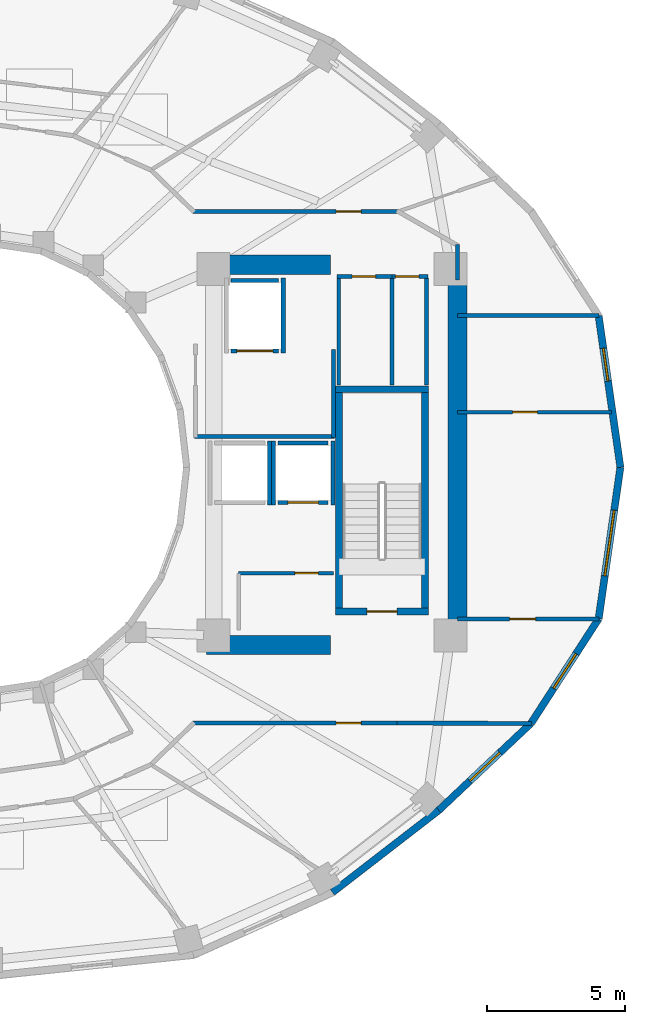
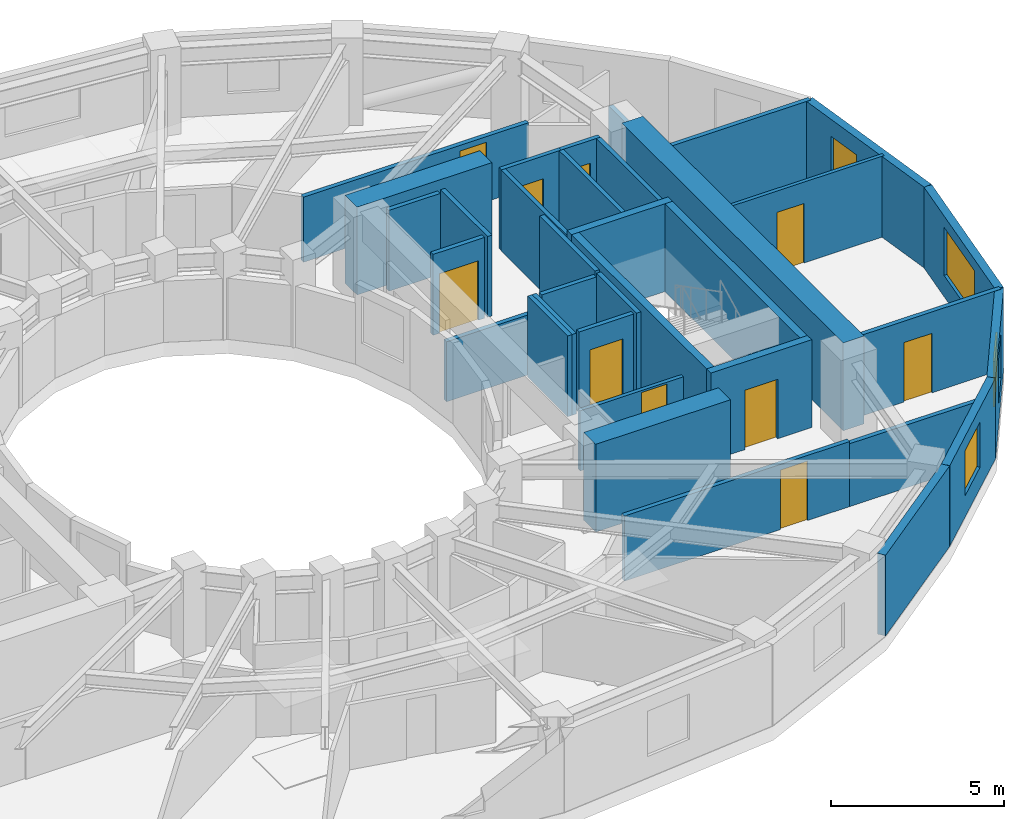
# One storey, part 6 of 9: 35 walls, 10 doors, 4 windows, 14 openings.
"""IFC4 building model written with IfcOpenShell, lengths in metres."""

from ifc_helpers import new_model, si_unit, direction, frame, frame_2d, origin, place, context, subcontext, project, spatial, rectangle, extrude, material, layer, layer_set, type_object, element, fill, save


model = new_model("IFC4")

# Units and contexts
model_context = context("Model", 3, precision=1e-05, world=origin(), true_north=direction((0.0, 1.0)))
body_context = subcontext(model_context, "Body", "Model", "MODEL_VIEW")
ifc_project = project(units=[si_unit("LENGTHUNIT", "METRE"), si_unit("AREAUNIT", "SQUARE_METRE"), si_unit("VOLUMEUNIT", "CUBIC_METRE"), si_unit("PLANEANGLEUNIT", "RADIAN"), si_unit("MASSUNIT", "GRAM", prefix="KILO")], contexts=[model_context])

# Site, building, storey
site_placement = place(None, origin())
site = spatial("IfcSite", under=ifc_project, at=site_placement, CompositionType="ELEMENT")
building_placement = place(site_placement, origin())
building = spatial("IfcBuilding", under=site, at=building_placement, Name="Solvane Sanctuary Tower", CompositionType="ELEMENT")
storey_placement = place(building_placement, frame((0.0, 0.0, 143.60009765625)))
storey = spatial("IfcBuildingStorey", under=building, at=storey_placement, Name="L43", CompositionType="ELEMENT", Elevation=143.60009765625)

# Walls
ifc_material_1 = material(Name="Concrete C60/75", Category="concrete")
ifc_layer_1 = layer(ifc_material_1, 0.699951171875, Name="Concrete C60/75")
ifc_layer_set_1 = layer_set([ifc_layer_1], Name="Concrete C60/75")
wall_type_1 = type_object("IfcWallType", Name="Wall W-CORE-700", PredefinedType="SHEAR", material=ifc_layer_set_1)
wall_1_placement = place(storey_placement, frame((48.949951171875, 17.050048828125, 0.0), z_axis=(0.0, 0.0, 1.0), x_axis=(0.0, 1.0, 0.0)))
element("IfcWall", 1, at=wall_1_placement, inside=storey, type_object=wall_type_1, Name="L43 Core Shear Wall EC-E", PredefinedType="SHEAR", context=body_context, shape_type="SweptSolid", body=[
    extrude(rectangle(XDim=12.800048828125, YDim=0.699951171875, at=frame_2d((6.39990234375, 0.0))), origin(), (0.0, 0.0, 1.0), 3.099853515625),
])
for number, where, z_axis, x_axis, name in (
    (2, (39.85009765625, 16.550048828125, 0.0), (0.0, 0.0, 1.0), (1.0, 0.0, 0.0), "L43 Core Shear Wall EC-S"),
    (3, (39.85009765625, 30.35009765625, 0.0), (0.0, 0.0, 1.0), (1.0, 0.0, 0.0), "L43 Core Shear Wall EC-N"),
):
    element("IfcWall", number, at=place(storey_placement, frame(where, z_axis=z_axis, x_axis=x_axis)), inside=storey, type_object=wall_type_1, Name=name, PredefinedType="SHEAR", context=body_context, shape_type="SweptSolid", body=[
        extrude(rectangle(XDim=4.5, YDim=0.699951171875, at=frame_2d((2.25, 0.0))), origin(), (0.0, 0.0, 1.0), 3.099853515625),
    ])
ifc_material_2 = material(Name="Acoustic Gypsum Partition Board")
ifc_layer_2 = layer(ifc_material_2, 0.14990234375, Name="Acoustic Gypsum Partition Board")
ifc_layer_set_2 = layer_set([ifc_layer_2], Name="Acoustic Gypsum Partition Board")
wall_type_2 = type_object("IfcWallType", Name="Wall W-CORR-150", PredefinedType="PARTITIONING", material=ifc_layer_set_2)
wall_2_placement = place(storey_placement, frame((39.39990234375, 24.1201171875, 0.0), z_axis=(0.0, 0.0, 1.0), x_axis=(1.0, 0.0, 0.0)))
element("IfcWall", 4, at=wall_2_placement, inside=storey, type_object=wall_type_2, Name="L43 East Firefighting Lobby South Wall", PredefinedType="PARTITIONING", context=body_context, shape_type="SweptSolid", body=[
    extrude(rectangle(XDim=5.080078125, YDim=0.14990234375, at=frame_2d((2.5400390625, 0.0))), origin(), (0.0, 0.0, 1.0), 2.119873046875),
])
wall_3_placement = place(storey_placement, frame((44.449951171875, 24.080078125, 0.0), z_axis=(0.0, 0.0, 1.0), x_axis=(0.0, 1.0, 0.0)))
element("IfcWall", 5, at=wall_3_placement, inside=storey, type_object=wall_type_2, Name="L43 East Firefighting Lobby East Wall", PredefinedType="PARTITIONING", context=body_context, shape_type="SweptSolid", body=[
    extrude(rectangle(XDim=3.199951171875, YDim=0.14990234375, at=frame_2d((1.60009765625, 0.0))), origin(), (0.0, 0.0, 1.0), 2.85498046875),
])

# Wall, opening, door
wall_4_placement = place(storey_placement, frame((48.949951171875, 17.4970703125, 0.0), z_axis=(0.0, 0.0, 1.0), x_axis=(1.0, 0.0, 0.0)))
wall_4 = element("IfcWall", 6, at=wall_4_placement, inside=storey, type_object=wall_type_2, Name="L43 East Shoulder South Wall", PredefinedType="PARTITIONING", context=body_context, shape_type="SweptSolid", body=[
    extrude(rectangle(XDim=5.14013671875, YDim=0.14990234375, at=frame_2d((2.570068359375, 0.0))), origin(), (0.0, 0.0, 1.0), 2.85498046875),
])
opening_1_placement = place(wall_4_placement, frame((1.888671875, 0.0, 0.0)))
opening_1 = element("IfcOpeningElement", 7, at=opening_1_placement, cuts=wall_4, Name="Opening D-L43-12", PredefinedType="OPENING", context=body_context, shape_type="SweptSolid", body=[
    extrude(rectangle(XDim=0.949951171875, YDim=2.10009765625, at=frame_2d((0.47509765625, 1.050048828125))), frame((0.0, 0.0849609375, 0.0), z_axis=(0.0, -1.0, 0.0), x_axis=(1.0, 0.0, 0.0)), (0.0, 0.0, 1.0), 0.169921875),
])
ifc_material_3 = material(Name="Engineered Tropical Hardwood", Category="wood")
door_type_1 = type_object("IfcDoorType", Name="Door D-ROOM-950", OperationType="NOTDEFINED", PredefinedType="DOOR", material=ifc_material_3)
door_1_placement = place(opening_1_placement, origin())
door_1 = element("IfcDoor", 8, at=door_1_placement, inside=storey, type_object=door_type_1, Name="L43 East Shoulder South Door", OperationType="SINGLE_SWING_LEFT", OverallHeight=2.10009765625, OverallWidth=0.949951171875, PredefinedType="DOOR", context=body_context, shape_type="SweptSolid", body=[
    extrude(rectangle(XDim=0.949951171875, YDim=2.10009765625, at=frame_2d((0.47509765625, 1.050048828125))), frame((0.0, 0.02490234375, 0.0), z_axis=(0.0, -1.0, 0.0), x_axis=(1.0, 0.0, 0.0)), (0.0, 0.0, 1.0), 0.050048828125),
])
fill(opening_1, door_1)

# Walls
wall_5_placement = place(storey_placement, frame((48.949951171875, 28.5029296875, 0.0), z_axis=(0.0, 0.0, 1.0), x_axis=(1.0, 0.0, 0.0)))
element("IfcWall", 9, at=wall_5_placement, inside=storey, type_object=wall_type_2, Name="L43 East Shoulder North Wall", PredefinedType="PARTITIONING", context=body_context, shape_type="SweptSolid", body=[
    extrude(rectangle(XDim=5.14013671875, YDim=0.14990234375, at=frame_2d((2.570068359375, 0.0))), origin(), (0.0, 0.0, 1.0), 2.85498046875),
])
wall_6_placement = place(storey_placement, frame((48.949951171875, 29.800048828125, 0.0), z_axis=(0.0, 0.0, 1.0), x_axis=(0.0, 1.0, 0.0)))
element("IfcWall", 10, at=wall_6_placement, inside=storey, type_object=wall_type_2, Name="L43 NE Corner Closer 1", PredefinedType="PARTITIONING", context=body_context, shape_type="SweptSolid", body=[
    extrude(rectangle(XDim=1.2900390625, YDim=0.14990234375, at=frame_2d((0.64501953125, 0.0))), origin(), (0.0, 0.0, 1.0), 2.85498046875),
])

# Wall, opening, door
wall_7_placement = place(storey_placement, frame((39.330078125, 32.280029296875, 0.0), z_axis=(0.0, 0.0, 1.0), x_axis=(1.0, 0.0, 0.0)))
wall_7 = element("IfcWall", 11, at=wall_7_placement, inside=storey, type_object=wall_type_2, Name="L43 NE Corner Corridor Wall", PredefinedType="PARTITIONING", context=body_context, shape_type="SweptSolid", body=[
    extrude(rectangle(XDim=7.52001953125, YDim=0.14990234375, at=frame_2d((3.760009765625, 0.0))), origin(), (0.0, 0.0, 1.0), 2.298828125),
])
opening_2_placement = place(wall_7_placement, frame((5.219970703125, 0.0, 0.0)))
opening_2 = element("IfcOpeningElement", 12, at=opening_2_placement, cuts=wall_7, Name="Opening D-L43-15", PredefinedType="OPENING", context=body_context, shape_type="SweptSolid", body=[
    extrude(rectangle(XDim=0.89990234375, YDim=2.10009765625, at=frame_2d((0.449951171875, 1.050048828125))), frame((0.0, 0.0849609375, 0.0), z_axis=(0.0, -1.0, 0.0), x_axis=(1.0, 0.0, 0.0)), (0.0, 0.0, 1.0), 0.169921875),
])
door_type_2 = type_object("IfcDoorType", Name="Door D-WET-900", OperationType="NOTDEFINED", PredefinedType="DOOR", material=ifc_material_3)
door_2_placement = place(opening_2_placement, origin())
door_2 = element("IfcDoor", 13, at=door_2_placement, inside=storey, type_object=door_type_2, Name="L43 NE Corner Salon Door", OperationType="SINGLE_SWING_RIGHT", OverallHeight=2.10009765625, OverallWidth=0.89990234375, PredefinedType="DOOR", context=body_context, shape_type="SweptSolid", body=[
    extrude(rectangle(XDim=0.89990234375, YDim=2.10009765625, at=frame_2d((0.449951171875, 1.050048828125))), frame((0.0, 0.02490234375, 0.0), z_axis=(0.0, -1.0, 0.0), x_axis=(1.0, 0.0, 0.0)), (0.0, 0.0, 1.0), 0.050048828125),
])
fill(opening_2, door_2)

wall_8_placement = place(storey_placement, frame((39.330078125, 13.719970703125, 0.0), z_axis=(0.0, 0.0, 1.0), x_axis=(1.0, 0.0, 0.0)))
wall_8 = element("IfcWall", 14, at=wall_8_placement, inside=storey, type_object=wall_type_2, Name="L43 SE Corner Corridor Wall", PredefinedType="PARTITIONING", context=body_context, shape_type="SweptSolid", body=[
    extrude(rectangle(XDim=7.52001953125, YDim=0.14990234375, at=frame_2d((3.760009765625, 0.0))), origin(), (0.0, 0.0, 1.0), 2.298828125),
])
opening_3_placement = place(wall_8_placement, frame((5.219970703125, 0.0, 0.0)))
opening_3 = element("IfcOpeningElement", 15, at=opening_3_placement, cuts=wall_8, Name="Opening D-L43-21", PredefinedType="OPENING", context=body_context, shape_type="SweptSolid", body=[
    extrude(rectangle(XDim=0.89990234375, YDim=2.10009765625, at=frame_2d((0.449951171875, 1.050048828125))), frame((0.0, 0.0849609375, 0.0), z_axis=(0.0, -1.0, 0.0), x_axis=(1.0, 0.0, 0.0)), (0.0, 0.0, 1.0), 0.169921875),
])
door_3_placement = place(opening_3_placement, origin())
door_3 = element("IfcDoor", 16, at=door_3_placement, inside=storey, type_object=door_type_2, Name="L43 SE Corner Salon Door", OperationType="SINGLE_SWING_RIGHT", OverallHeight=2.10009765625, OverallWidth=0.89990234375, PredefinedType="DOOR", context=body_context, shape_type="SweptSolid", body=[
    extrude(rectangle(XDim=0.89990234375, YDim=2.10009765625, at=frame_2d((0.449951171875, 1.050048828125))), frame((0.0, 0.02490234375, 0.0), z_axis=(0.0, -1.0, 0.0), x_axis=(1.0, 0.0, 0.0)), (0.0, 0.0, 1.0), 0.050048828125),
])
fill(opening_3, door_3)

# Wall
wall_9_placement = place(storey_placement, frame((46.75, 13.72021484375, 0.0), z_axis=(0.0, 0.0, 1.0), x_axis=(0.999997122315, -0.00239903348, 0.0)))
element("IfcWall", 17, at=wall_9_placement, inside=storey, type_object=wall_type_2, Name="L43 SE Corner Wing Wall", PredefinedType="PARTITIONING", context=body_context, shape_type="SweptSolid", body=[
    extrude(rectangle(XDim=4.884765625, YDim=0.14990234375, at=frame_2d((2.4423828125, 0.0))), origin(), (0.0, 0.0, 1.0), 2.219970703125),
])

# Wall, opening, window
ifc_material_4 = material(Name="Precast concrete C40/50", Category="concrete")
ifc_layer_3 = layer(ifc_material_4, 0.260009765625, Name="Precast concrete C40/50")
ifc_layer_set_3 = layer_set([ifc_layer_3], Name="Precast concrete C40/50")
wall_type_3 = type_object("IfcWallType", Name="Wall W-EXT-250", PredefinedType="STANDARD", material=ifc_layer_set_3)
wall_10_placement = place(storey_placement, frame((54.860107421875, 23.0, 0.0), z_axis=(0.0, 0.0, 1.0), x_axis=(-0.142227632286, 0.989833976288, 0.0)))
wall_10 = element("IfcWall", 18, at=wall_10_placement, inside=storey, type_object=wall_type_3, Name="L43 Ceramic-Printed Facade Wall 00", PredefinedType="STANDARD", context=body_context, shape_type="SweptSolid", body=[
    extrude(rectangle(XDim=5.552978515625, YDim=0.260009765625, at=frame_2d((2.7763671875, 0.0))), origin(), (0.0, 0.0, 1.0), 2.849853515625),
])
opening_4_placement = place(wall_10_placement, frame((3.16162109375, 0.0, 0.75)))
opening_4 = element("IfcOpeningElement", 19, at=opening_4_placement, cuts=wall_10, Name="Opening WN-OPER-1200", PredefinedType="OPENING", context=body_context, shape_type="SweptSolid", body=[
    extrude(rectangle(XDim=1.199951171875, YDim=1.5, at=frame_2d((0.60009765625, 0.75))), frame((0.0, 0.139892578125, 0.0), z_axis=(0.0, -1.0, 0.0), x_axis=(1.0, 0.0, 0.0)), (0.0, 0.0, 1.0), 0.280029296875),
])
ifc_material_5 = material(Name="Dark Ceramic-Fritted Low-E Glass", Category="glass")
window_type_1 = type_object("IfcWindowType", Name="Window WN-OPER-1200", PartitioningType="SINGLE_PANEL", PredefinedType="WINDOW", material=ifc_material_5)
window_1_placement = place(opening_4_placement, origin())
window_1 = element("IfcWindow", 20, at=window_1_placement, inside=storey, type_object=window_type_1, Name="L43 Operable Facade Window 00", OverallHeight=1.5, OverallWidth=1.199951171875, PartitioningType="SINGLE_PANEL", PredefinedType="WINDOW", context=body_context, shape_type="SweptSolid", body=[
    extrude(rectangle(XDim=1.199951171875, YDim=1.5, at=frame_2d((0.60009765625, 0.75))), frame((0.0, 0.030029296875, 0.0), z_axis=(0.0, -1.0, 0.0), x_axis=(1.0, 0.0, 0.0)), (0.0, 0.0, 1.0), 0.06005859375),
])
fill(opening_4, window_1)

# Wall
wall_11_placement = place(storey_placement, frame((44.4130859375, 7.58056640625, 0.0), z_axis=(0.0, 0.0, 1.0), x_axis=(0.791460185804, 0.611220724687, 0.0)))
element("IfcWall", 21, at=wall_11_placement, inside=storey, type_object=wall_type_3, Name="L43 Ceramic-Printed Facade Wall 20", PredefinedType="STANDARD", context=body_context, shape_type="SweptSolid", body=[
    extrude(rectangle(XDim=4.872314453125, YDim=0.260009765625, at=frame_2d((2.43603515625, 0.0))), origin(), (0.0, 0.0, 1.0), 2.849853515625),
])

# Wall, opening, window
wall_12_placement = place(storey_placement, frame((48.269287109375, 10.55859375, 0.0), z_axis=(0.0, 0.0, 1.0), x_axis=(0.727667301037, 0.68593024354, 0.0)))
wall_12 = element("IfcWall", 22, at=wall_12_placement, inside=storey, type_object=wall_type_3, Name="L43 Ceramic-Printed Facade Wall 21", PredefinedType="STANDARD", context=body_context, shape_type="SweptSolid", body=[
    extrude(rectangle(XDim=4.603515625, YDim=0.260009765625, at=frame_2d((2.3017578125, 0.0))), origin(), (0.0, 0.0, 1.0), 2.849853515625),
])
opening_5_placement = place(wall_12_placement, frame((1.5517578125, 0.0, 0.75)))
opening_5 = element("IfcOpeningElement", 23, at=opening_5_placement, cuts=wall_12, Name="Opening WN-OPER-1500", PredefinedType="OPENING", context=body_context, shape_type="SweptSolid", body=[
    extrude(rectangle(XDim=1.5, YDim=1.60009765625, at=frame_2d((0.75, 0.800048828125))), frame((0.0, 0.139892578125, 0.0), z_axis=(0.0, -1.0, 0.0), x_axis=(1.0, 0.0, 0.0)), (0.0, 0.0, 1.0), 0.280029296875),
])
window_type_2 = type_object("IfcWindowType", Name="Window WN-OPER-1500", PartitioningType="SINGLE_PANEL", PredefinedType="WINDOW", material=ifc_material_5)
window_2_placement = place(opening_5_placement, origin())
window_2 = element("IfcWindow", 24, at=window_2_placement, inside=storey, type_object=window_type_2, Name="L43 Operable Facade Window 21", OverallHeight=1.60009765625, OverallWidth=1.5, PartitioningType="SINGLE_PANEL", PredefinedType="WINDOW", context=body_context, shape_type="SweptSolid", body=[
    extrude(rectangle(XDim=1.5, YDim=1.60009765625, at=frame_2d((0.75, 0.800048828125))), frame((0.0, 0.030029296875, 0.0), z_axis=(0.0, -1.0, 0.0), x_axis=(1.0, 0.0, 0.0)), (0.0, 0.0, 1.0), 0.06005859375),
])
fill(opening_5, window_2)

wall_13_placement = place(storey_placement, frame((51.619140625, 13.71630859375, 0.0), z_axis=(0.0, 0.0, 1.0), x_axis=(0.543358984534, 0.839500454989, 0.0)))
wall_13 = element("IfcWall", 25, at=wall_13_placement, inside=storey, type_object=wall_type_3, Name="L43 Ceramic-Printed Facade Wall 22", PredefinedType="STANDARD", context=body_context, shape_type="SweptSolid", body=[
    extrude(rectangle(XDim=4.51123046875, YDim=0.260009765625, at=frame_2d((2.255615234375, 0.0))), origin(), (0.0, 0.0, 1.0), 2.849853515625),
])
opening_6_placement = place(wall_13_placement, frame((1.505615234375, 0.0, 0.75)))
opening_6 = element("IfcOpeningElement", 26, at=opening_6_placement, cuts=wall_13, Name="Opening WN-OPER-1500", PredefinedType="OPENING", context=body_context, shape_type="SweptSolid", body=[
    extrude(rectangle(XDim=1.5, YDim=1.60009765625, at=frame_2d((0.75, 0.800048828125))), frame((0.0, 0.139892578125, 0.0), z_axis=(0.0, -1.0, 0.0), x_axis=(1.0, 0.0, 0.0)), (0.0, 0.0, 1.0), 0.280029296875),
])
window_3_placement = place(opening_6_placement, origin())
window_3 = element("IfcWindow", 27, at=window_3_placement, inside=storey, type_object=window_type_2, Name="L43 Operable Facade Window 22", OverallHeight=1.60009765625, OverallWidth=1.5, PartitioningType="SINGLE_PANEL", PredefinedType="WINDOW", context=body_context, shape_type="SweptSolid", body=[
    extrude(rectangle(XDim=1.5, YDim=1.60009765625, at=frame_2d((0.75, 0.800048828125))), frame((0.0, 0.030029296875, 0.0), z_axis=(0.0, -1.0, 0.0), x_axis=(1.0, 0.0, 0.0)), (0.0, 0.0, 1.0), 0.06005859375),
])
fill(opening_6, window_3)

wall_14_placement = place(storey_placement, frame((54.0703125, 17.50341796875, 0.0), z_axis=(0.0, 0.0, 1.0), x_axis=(0.142227632286, 0.989833976288, 0.0)))
wall_14 = element("IfcWall", 28, at=wall_14_placement, inside=storey, type_object=wall_type_3, Name="L43 Ceramic-Printed Facade Wall 23", PredefinedType="STANDARD", context=body_context, shape_type="SweptSolid", body=[
    extrude(rectangle(XDim=5.552978515625, YDim=0.260009765625, at=frame_2d((2.7763671875, 0.0))), origin(), (0.0, 0.0, 1.0), 2.849853515625),
])
opening_7_placement = place(wall_14_placement, frame((1.576416015625, 0.0, 0.75)))
opening_7 = element("IfcOpeningElement", 29, at=opening_7_placement, cuts=wall_14, Name="Opening WN-RIB-2400", PredefinedType="OPENING", context=body_context, shape_type="SweptSolid", body=[
    extrude(rectangle(XDim=2.39990234375, YDim=1.699951171875, at=frame_2d((1.199951171875, 0.85009765625))), frame((0.0, 0.139892578125, 0.0), z_axis=(0.0, -1.0, 0.0), x_axis=(1.0, 0.0, 0.0)), (0.0, 0.0, 1.0), 0.280029296875),
])
window_type_3 = type_object("IfcWindowType", Name="Window WN-RIB-2400", PartitioningType="SINGLE_PANEL", PredefinedType="WINDOW", material=ifc_material_5)
window_4_placement = place(opening_7_placement, origin())
window_4 = element("IfcWindow", 30, at=window_4_placement, inside=storey, type_object=window_type_3, Name="L43 Operable Facade Window 23", OverallHeight=1.699951171875, OverallWidth=2.39990234375, PartitioningType="SINGLE_PANEL", PredefinedType="WINDOW", context=body_context, shape_type="SweptSolid", body=[
    extrude(rectangle(XDim=2.39990234375, YDim=1.699951171875, at=frame_2d((1.199951171875, 0.85009765625))), frame((0.0, 0.030029296875, 0.0), z_axis=(0.0, -1.0, 0.0), x_axis=(1.0, 0.0, 0.0)), (0.0, 0.0, 1.0), 0.06005859375),
])
fill(opening_7, window_4)

# Wall, opening, door
ifc_layer_4 = layer(ifc_material_2, 0.1201171875, Name="Acoustic Gypsum Partition Board")
ifc_layer_set_4 = layer_set([ifc_layer_4], Name="Acoustic Gypsum Partition Board")
wall_type_4 = type_object("IfcWallType", Name="Wall W-MOV-100", PredefinedType="MOVABLE", material=ifc_layer_set_4)
wall_15_placement = place(storey_placement, frame((48.949951171875, 25.0, 0.0), z_axis=(0.0, 0.0, 1.0), x_axis=(1.0, 0.0, 0.0)))
wall_15 = element("IfcWall", 31, at=wall_15_placement, inside=storey, type_object=wall_type_4, Name="L43 East Suite Partition", PredefinedType="MOVABLE", context=body_context, shape_type="SweptSolid", body=[
    extrude(rectangle(XDim=5.5830078125, YDim=0.1201171875, at=frame_2d((2.79150390625, 0.0))), origin(), (0.0, 0.0, 1.0), 2.85498046875),
])
opening_8_placement = place(wall_15_placement, frame((2.0, 0.0, 0.0)))
opening_8 = element("IfcOpeningElement", 32, at=opening_8_placement, cuts=wall_15, Name="Opening D-L43-13", PredefinedType="OPENING", context=body_context, shape_type="SweptSolid", body=[
    extrude(rectangle(XDim=0.89990234375, YDim=2.10009765625, at=frame_2d((0.449951171875, 1.050048828125))), frame((0.0, 0.070068359375, 0.0), z_axis=(0.0, -1.0, 0.0), x_axis=(1.0, 0.0, 0.0)), (0.0, 0.0, 1.0), 0.14013671875),
])
door_4_placement = place(opening_8_placement, origin())
door_4 = element("IfcDoor", 33, at=door_4_placement, inside=storey, type_object=door_type_2, Name="L43 East Suite Internal Door", OperationType="SINGLE_SWING_RIGHT", OverallHeight=2.10009765625, OverallWidth=0.89990234375, PredefinedType="DOOR", context=body_context, shape_type="SweptSolid", body=[
    extrude(rectangle(XDim=0.89990234375, YDim=2.10009765625, at=frame_2d((0.449951171875, 1.050048828125))), frame((0.0, 0.02490234375, 0.0), z_axis=(0.0, -1.0, 0.0), x_axis=(1.0, 0.0, 0.0)), (0.0, 0.0, 1.0), 0.050048828125),
])
fill(opening_8, door_4)

ifc_layer_5 = layer(ifc_material_2, 0.125, Name="Acoustic Gypsum Partition Board")
ifc_layer_set_5 = layer_set([ifc_layer_5], Name="Acoustic Gypsum Partition Board")
wall_type_5 = type_object("IfcWallType", Name="Wall W-PART-125", PredefinedType="PARTITIONING", material=ifc_layer_set_5)
wall_16_placement = place(storey_placement, frame((41.0, 19.159912109375, 0.0), z_axis=(0.0, 0.0, 1.0), x_axis=(1.0, 0.0, 0.0)))
wall_16 = element("IfcWall", 34, at=wall_16_placement, inside=storey, type_object=wall_type_5, Name="L43 Reclaimed Room Partition PLE", PredefinedType="PARTITIONING", context=body_context, shape_type="SweptSolid", body=[
    extrude(rectangle(XDim=3.449951171875, YDim=0.125, at=frame_2d((1.72509765625, 0.0))), origin(), (0.0, 0.0, 1.0), 2.119873046875),
])
opening_9_placement = place(wall_16_placement, frame((2.050048828125, 0.0, 0.0)))
opening_9 = element("IfcOpeningElement", 35, at=opening_9_placement, cuts=wall_16, Name="Opening D-L43-07", PredefinedType="OPENING", context=body_context, shape_type="SweptSolid", body=[
    extrude(rectangle(XDim=0.85009765625, YDim=2.050048828125, at=frame_2d((0.425048828125, 1.02490234375))), frame((0.0, 0.072509765625, 0.0), z_axis=(0.0, -1.0, 0.0), x_axis=(1.0, 0.0, 0.0)), (0.0, 0.0, 1.0), 0.14501953125),
])
ifc_material_6 = material(Name="Architectural Stainless Steel 316", Category="steel")
door_type_3 = type_object("IfcDoorType", Name="Door D-RISER", OperationType="NOTDEFINED", PredefinedType="DOOR", material=ifc_material_6)
door_5_placement = place(opening_9_placement, origin())
door_5 = element("IfcDoor", 36, at=door_5_placement, inside=storey, type_object=door_type_3, Name="L43 Reclaimed Room Door PLE-1", OperationType="SINGLE_SWING_RIGHT", OverallHeight=2.050048828125, OverallWidth=0.85009765625, PredefinedType="DOOR", context=body_context, shape_type="SweptSolid", body=[
    extrude(rectangle(XDim=0.85009765625, YDim=2.050048828125, at=frame_2d((0.425048828125, 1.02490234375))), frame((0.0, 0.02490234375, 0.0), z_axis=(0.0, -1.0, 0.0), x_axis=(1.0, 0.0, 0.0)), (0.0, 0.0, 1.0), 0.050048828125),
])
fill(opening_9, door_5)

ifc_material_7 = material(Name="Concrete C50/60", Category="concrete")
ifc_layer_6 = layer(ifc_material_7, 0.14990234375, Name="Concrete C50/60")
ifc_layer_set_6 = layer_set([ifc_layer_6], Name="Concrete C50/60")
wall_type_6 = type_object("IfcWallType", Name="Wall W-SHAFT-150", PredefinedType="SOLIDWALL", material=ifc_layer_set_6)
wall_17_placement = place(storey_placement, frame((42.43994140625, 21.719970703125, 0.0), z_axis=(0.0, 0.0, 1.0), x_axis=(1.0, 0.0, 0.0)))
wall_17 = element("IfcWall", 37, at=wall_17_placement, inside=storey, type_object=wall_type_6, Name="L43 PM-2 Lift Shaft Wall F", PredefinedType="SOLIDWALL", context=body_context, shape_type="SweptSolid", body=[
    extrude(rectangle(XDim=1.820068359375, YDim=0.14990234375, at=frame_2d((0.91015625, 0.0))), origin(), (0.0, 0.0, 1.0), 2.85498046875),
])
opening_10_placement = place(wall_17_placement, frame((0.360107421875, 0.0, 0.0)))
opening_10 = element("IfcOpeningElement", 38, at=opening_10_placement, cuts=wall_17, Name="Opening LD-L43-02", PredefinedType="OPENING", context=body_context, shape_type="SweptSolid", body=[
    extrude(rectangle(XDim=1.10009765625, YDim=2.10009765625, at=frame_2d((0.550048828125, 1.050048828125))), frame((0.0, 0.0849609375, 0.0), z_axis=(0.0, -1.0, 0.0), x_axis=(1.0, 0.0, 0.0)), (0.0, 0.0, 1.0), 0.169921875),
])
door_type_4 = type_object("IfcDoorType", Name="Door LD-PASS-1100", OperationType="NOTDEFINED", PredefinedType="DOOR", material=ifc_material_6)
door_6_placement = place(opening_10_placement, origin())
door_6 = element("IfcDoor", 39, at=door_6_placement, inside=storey, type_object=door_type_4, Name="L43 PM-2 Lift Landing Door", OperationType="DOUBLE_DOOR_SLIDING", OverallHeight=2.10009765625, OverallWidth=1.10009765625, PredefinedType="DOOR", context=body_context, shape_type="SweptSolid", body=[
    extrude(rectangle(XDim=1.10009765625, YDim=2.10009765625, at=frame_2d((0.550048828125, 1.050048828125))), frame((0.0, 0.02490234375, 0.0), z_axis=(0.0, -1.0, 0.0), x_axis=(1.0, 0.0, 0.0)), (0.0, 0.0, 1.0), 0.050048828125),
])
fill(opening_10, door_6)

# Walls
wall_18_placement = place(storey_placement, frame((42.43994140625, 23.8798828125, 0.0), z_axis=(0.0, 0.0, 1.0), x_axis=(1.0, 0.0, 0.0)))
element("IfcWall", 40, at=wall_18_placement, inside=storey, type_object=wall_type_6, Name="L43 PM-2 Lift Shaft Wall B", PredefinedType="SOLIDWALL", context=body_context, shape_type="SweptSolid", body=[
    extrude(rectangle(XDim=1.820068359375, YDim=0.14990234375, at=frame_2d((0.91015625, 0.0))), origin(), (0.0, 0.0, 1.0), 2.85498046875),
])
for number, where, z_axis, x_axis, name in (
    (41, (42.27001953125, 21.639892578125, 0.0), (0.0, 0.0, 1.0), (0.0, 1.0, 0.0), "L43 PM-2 Lift Shaft Wall S1"),
    (42, (44.429931640625, 21.639892578125, 0.0), (0.0, 0.0, 1.0), (0.0, 1.0, 0.0), "L43 PM-2 Lift Shaft Wall S2"),
    (43, (42.1298828125, 21.639892578125, 0.0), (0.0, 0.0, 1.0), (0.0, 1.0, 0.0), "L43 PH-2 Lift Shaft Wall S2"),
):
    element("IfcWall", number, at=place(storey_placement, frame(where, z_axis=z_axis, x_axis=x_axis)), inside=storey, type_object=wall_type_6, Name=name, PredefinedType="SOLIDWALL", context=body_context, shape_type="SweptSolid", body=[
        extrude(rectangle(XDim=2.320068359375, YDim=0.14990234375, at=frame_2d((1.16015625, 0.0))), origin(), (0.0, 0.0, 1.0), 2.85498046875),
    ])

# Wall, opening, door
wall_19_placement = place(storey_placement, frame((40.739990234375, 27.219970703125, 0.0), z_axis=(0.0, 0.0, 1.0), x_axis=(1.0, 0.0, 0.0)))
wall_19 = element("IfcWall", 44, at=wall_19_placement, inside=storey, type_object=wall_type_6, Name="L43 FFL-2 Lift Shaft Wall F", PredefinedType="SOLIDWALL", context=body_context, shape_type="SweptSolid", body=[
    extrude(rectangle(XDim=1.719970703125, YDim=0.14990234375, at=frame_2d((0.85986328125, 0.0))), origin(), (0.0, 0.0, 1.0), 2.85498046875),
])
opening_11_placement = place(wall_19_placement, frame((0.2099609375, 0.0, 0.0)))
opening_11 = element("IfcOpeningElement", 45, at=opening_11_placement, cuts=wall_19, Name="Opening LD-L43-05", PredefinedType="OPENING", context=body_context, shape_type="SweptSolid", body=[
    extrude(rectangle(XDim=1.300048828125, YDim=2.10009765625, at=frame_2d((0.64990234375, 1.050048828125))), frame((0.0, 0.0849609375, 0.0), z_axis=(0.0, -1.0, 0.0), x_axis=(1.0, 0.0, 0.0)), (0.0, 0.0, 1.0), 0.169921875),
])
door_type_5 = type_object("IfcDoorType", Name="Door LD-FFL-1300", OperationType="NOTDEFINED", PredefinedType="DOOR", material=ifc_material_6)
door_7_placement = place(opening_11_placement, origin())
door_7 = element("IfcDoor", 46, at=door_7_placement, inside=storey, type_object=door_type_5, Name="L43 FFL-2 Lift Landing Door", OperationType="DOUBLE_DOOR_SLIDING", OverallHeight=2.10009765625, OverallWidth=1.300048828125, PredefinedType="DOOR", context=body_context, shape_type="SweptSolid", body=[
    extrude(rectangle(XDim=1.300048828125, YDim=2.10009765625, at=frame_2d((0.64990234375, 1.050048828125))), frame((0.0, 0.02490234375, 0.0), z_axis=(0.0, -1.0, 0.0), x_axis=(1.0, 0.0, 0.0)), (0.0, 0.0, 1.0), 0.050048828125),
])
fill(opening_11, door_7)

# Walls
wall_20_placement = place(storey_placement, frame((40.739990234375, 29.780029296875, 0.0), z_axis=(0.0, 0.0, 1.0), x_axis=(1.0, 0.0, 0.0)))
element("IfcWall", 47, at=wall_20_placement, inside=storey, type_object=wall_type_6, Name="L43 FFL-2 Lift Shaft Wall B", PredefinedType="SOLIDWALL", context=body_context, shape_type="SweptSolid", body=[
    extrude(rectangle(XDim=1.719970703125, YDim=0.14990234375, at=frame_2d((0.85986328125, 0.0))), origin(), (0.0, 0.0, 1.0), 2.85498046875),
])
wall_21_placement = place(storey_placement, frame((42.6298828125, 27.139892578125, 0.0), z_axis=(0.0, 0.0, 1.0), x_axis=(0.0, 1.0, 0.0)))
element("IfcWall", 48, at=wall_21_placement, inside=storey, type_object=wall_type_6, Name="L43 FFL-2 Lift Shaft Wall S2", PredefinedType="SOLIDWALL", context=body_context, shape_type="SweptSolid", body=[
    extrude(rectangle(XDim=2.72021484375, YDim=0.14990234375, at=frame_2d((1.360107421875, 0.0))), origin(), (0.0, 0.0, 1.0), 2.85498046875),
])

# Wall, opening, door
ifc_layer_7 = layer(ifc_material_7, 0.25, Name="Concrete C50/60")
ifc_layer_set_7 = layer_set([ifc_layer_7], Name="Concrete C50/60")
wall_type_7 = type_object("IfcWallType", Name="Wall W-SHAFT-250", PredefinedType="SOLIDWALL", material=ifc_layer_set_7)
wall_22_placement = place(storey_placement, frame((44.52490234375, 17.77001953125, 0.0), z_axis=(0.0, 0.0, 1.0), x_axis=(1.0, 0.0, 0.0)))
wall_22 = element("IfcWall", 49, at=wall_22_placement, inside=storey, type_object=wall_type_7, Name="L43 ST-2 Load-Bearing Shaft Wall S", PredefinedType="SOLIDWALL", context=body_context, shape_type="SweptSolid", body=[
    extrude(rectangle(XDim=3.3701171875, YDim=0.25, at=frame_2d((1.68505859375, 0.0))), origin(), (0.0, 0.0, 1.0), 3.099853515625),
])
opening_12_placement = place(wall_22_placement, frame((1.135009765625, 0.0, 0.0)))
opening_12 = element("IfcOpeningElement", 50, at=opening_12_placement, cuts=wall_22, Name="Opening D-L43-02", PredefinedType="OPENING", context=body_context, shape_type="SweptSolid", body=[
    extrude(rectangle(XDim=1.10009765625, YDim=2.10009765625, at=frame_2d((0.550048828125, 1.050048828125))), frame((0.0, 0.135009765625, 0.0), z_axis=(0.0, -1.0, 0.0), x_axis=(1.0, 0.0, 0.0)), (0.0, 0.0, 1.0), 0.27001953125),
])
door_type_6 = type_object("IfcDoorType", Name="Door D-STAIR", OperationType="NOTDEFINED", PredefinedType="DOOR", material=ifc_material_6)
door_8_placement = place(opening_12_placement, origin())
door_8 = element("IfcDoor", 51, at=door_8_placement, inside=storey, type_object=door_type_6, Name="L43 ST-2 Exit Stair Fire Door", OperationType="SINGLE_SWING_RIGHT", OverallHeight=2.10009765625, OverallWidth=1.10009765625, PredefinedType="DOOR", context=body_context, shape_type="SweptSolid", body=[
    extrude(rectangle(XDim=1.10009765625, YDim=2.10009765625, at=frame_2d((0.550048828125, 1.050048828125))), frame((0.0, 0.02490234375, 0.0), z_axis=(0.0, -1.0, 0.0), x_axis=(1.0, 0.0, 0.0)), (0.0, 0.0, 1.0), 0.050048828125),
])
fill(opening_12, door_8)

# Walls
wall_23_placement = place(storey_placement, frame((44.52490234375, 25.830078125, 0.0), z_axis=(0.0, 0.0, 1.0), x_axis=(1.0, 0.0, 0.0)))
element("IfcWall", 52, at=wall_23_placement, inside=storey, type_object=wall_type_7, Name="L43 ST-2 Load-Bearing Shaft Wall N", PredefinedType="SOLIDWALL", context=body_context, shape_type="SweptSolid", body=[
    extrude(rectangle(XDim=3.3701171875, YDim=0.25, at=frame_2d((1.68505859375, 0.0))), origin(), (0.0, 0.0, 1.0), 3.099853515625),
])
for number, where, z_axis, x_axis, name in (
    (53, (44.64990234375, 17.89501953125, 0.0), (0.0, 0.0, 1.0), (0.0, 1.0, 0.0), "L43 ST-2 Load-Bearing Shaft Wall W"),
    (54, (47.77001953125, 17.89501953125, 0.0), (0.0, 0.0, 1.0), (0.0, 1.0, 0.0), "L43 ST-2 Load-Bearing Shaft Wall E"),
):
    element("IfcWall", number, at=place(storey_placement, frame(where, z_axis=z_axis, x_axis=x_axis)), inside=storey, type_object=wall_type_7, Name=name, PredefinedType="SOLIDWALL", context=body_context, shape_type="SweptSolid", body=[
        extrude(rectangle(XDim=7.81005859375, YDim=0.25, at=frame_2d((3.905029296875, 0.0))), origin(), (0.0, 0.0, 1.0), 3.099853515625),
    ])

# Wall, opening, door
ifc_layer_8 = layer(ifc_material_2, 0.139892578125, Name="Acoustic Gypsum Partition Board")
ifc_layer_set_8 = layer_set([ifc_layer_8], Name="Acoustic Gypsum Partition Board")
wall_type_8 = type_object("IfcWallType", Name="Wall W-WET-140", PredefinedType="PLUMBINGWALL", material=ifc_layer_set_8)
wall_24_placement = place(storey_placement, frame((44.580078125, 29.919921875, 0.0), z_axis=(0.0, 0.0, 1.0), x_axis=(1.0, 0.0, 0.0)))
wall_24 = element("IfcWall", 55, at=wall_24_placement, inside=storey, type_object=wall_type_8, Name="L43 Core Service Front Wall KE1", PredefinedType="PLUMBINGWALL", context=body_context, shape_type="SweptSolid", body=[
    extrude(rectangle(XDim=2.0, YDim=0.139892578125, at=frame_2d((1.0, 0.0))), origin(), (0.0, 0.0, 1.0), 2.85498046875),
])
opening_13_placement = place(wall_24_placement, frame((0.550048828125, 0.0, 0.0)))
opening_13 = element("IfcOpeningElement", 56, at=opening_13_placement, cuts=wall_24, Name="Opening D-L43-10", PredefinedType="OPENING", context=body_context, shape_type="SweptSolid", body=[
    extrude(rectangle(XDim=0.85009765625, YDim=2.050048828125, at=frame_2d((0.425048828125, 1.02490234375))), frame((0.0, 0.079833984375, 0.0), z_axis=(0.0, -1.0, 0.0), x_axis=(1.0, 0.0, 0.0)), (0.0, 0.0, 1.0), 0.159912109375),
])
door_9_placement = place(opening_13_placement, origin())
door_9 = element("IfcDoor", 57, at=door_9_placement, inside=storey, type_object=door_type_3, Name="L43 Core Service Room Door KE1-1", OperationType="SINGLE_SWING_LEFT", OverallHeight=2.050048828125, OverallWidth=0.85009765625, PredefinedType="DOOR", context=body_context, shape_type="SweptSolid", body=[
    extrude(rectangle(XDim=0.85009765625, YDim=2.050048828125, at=frame_2d((0.425048828125, 1.02490234375))), frame((0.0, 0.02490234375, 0.0), z_axis=(0.0, -1.0, 0.0), x_axis=(1.0, 0.0, 0.0)), (0.0, 0.0, 1.0), 0.050048828125),
])
fill(opening_13, door_9)

# Walls
for number, where, z_axis, x_axis, name in (
    (58, (44.639892578125, 25.97998046875, 0.0), (0.0, 0.0, 1.0), (0.0, 1.0, 0.0), "L43 Core Service Side Wall KE1-1"),
    (59, (46.580078125, 25.97998046875, 0.0), (0.0, 0.0, 1.0), (0.0, 1.0, 0.0), "L43 Core Service Side Wall KE1-2"),
):
    element("IfcWall", number, at=place(storey_placement, frame(where, z_axis=z_axis, x_axis=x_axis)), inside=storey, type_object=wall_type_8, Name=name, PredefinedType="PLUMBINGWALL", context=body_context, shape_type="SweptSolid", body=[
        extrude(rectangle(XDim=3.880126953125, YDim=0.139892578125, at=frame_2d((1.93994140625, 0.0))), origin(), (0.0, 0.0, 1.0), 2.85498046875),
    ])

# Wall, opening, door
wall_25_placement = place(storey_placement, frame((46.580078125, 29.919921875, 0.0), z_axis=(0.0, 0.0, 1.0), x_axis=(1.0, 0.0, 0.0)))
wall_25 = element("IfcWall", 60, at=wall_25_placement, inside=storey, type_object=wall_type_8, Name="L43 Core Service Front Wall KE2", PredefinedType="PLUMBINGWALL", context=body_context, shape_type="SweptSolid", body=[
    extrude(rectangle(XDim=1.2998046875, YDim=0.139892578125, at=frame_2d((0.64990234375, 0.0))), origin(), (0.0, 0.0, 1.0), 2.85498046875),
])
opening_14_placement = place(wall_25_placement, frame((0.1201171875, 0.0, 0.0)))
opening_14 = element("IfcOpeningElement", 61, at=opening_14_placement, cuts=wall_25, Name="Opening D-L43-11", PredefinedType="OPENING", context=body_context, shape_type="SweptSolid", body=[
    extrude(rectangle(XDim=0.85009765625, YDim=2.050048828125, at=frame_2d((0.425048828125, 1.02490234375))), frame((0.0, 0.079833984375, 0.0), z_axis=(0.0, -1.0, 0.0), x_axis=(1.0, 0.0, 0.0)), (0.0, 0.0, 1.0), 0.159912109375),
])
door_10_placement = place(opening_14_placement, origin())
door_10 = element("IfcDoor", 62, at=door_10_placement, inside=storey, type_object=door_type_3, Name="L43 Core Service Room Door KE2-1", OperationType="SINGLE_SWING_RIGHT", OverallHeight=2.050048828125, OverallWidth=0.85009765625, PredefinedType="DOOR", context=body_context, shape_type="SweptSolid", body=[
    extrude(rectangle(XDim=0.85009765625, YDim=2.050048828125, at=frame_2d((0.425048828125, 1.02490234375))), frame((0.0, 0.02490234375, 0.0), z_axis=(0.0, -1.0, 0.0), x_axis=(1.0, 0.0, 0.0)), (0.0, 0.0, 1.0), 0.050048828125),
])
fill(opening_14, door_10)

# Wall
wall_26_placement = place(storey_placement, frame((47.820068359375, 25.97998046875, 0.0), z_axis=(0.0, 0.0, 1.0), x_axis=(0.0, 1.0, 0.0)))
element("IfcWall", 63, at=wall_26_placement, inside=storey, type_object=wall_type_8, Name="L43 Core Service Side Wall KE2-1", PredefinedType="PLUMBINGWALL", context=body_context, shape_type="SweptSolid", body=[
    extrude(rectangle(XDim=3.880126953125, YDim=0.139892578125, at=frame_2d((1.93994140625, 0.0))), origin(), (0.0, 0.0, 1.0), 2.85498046875),
])

save(model, "model.ifc")
